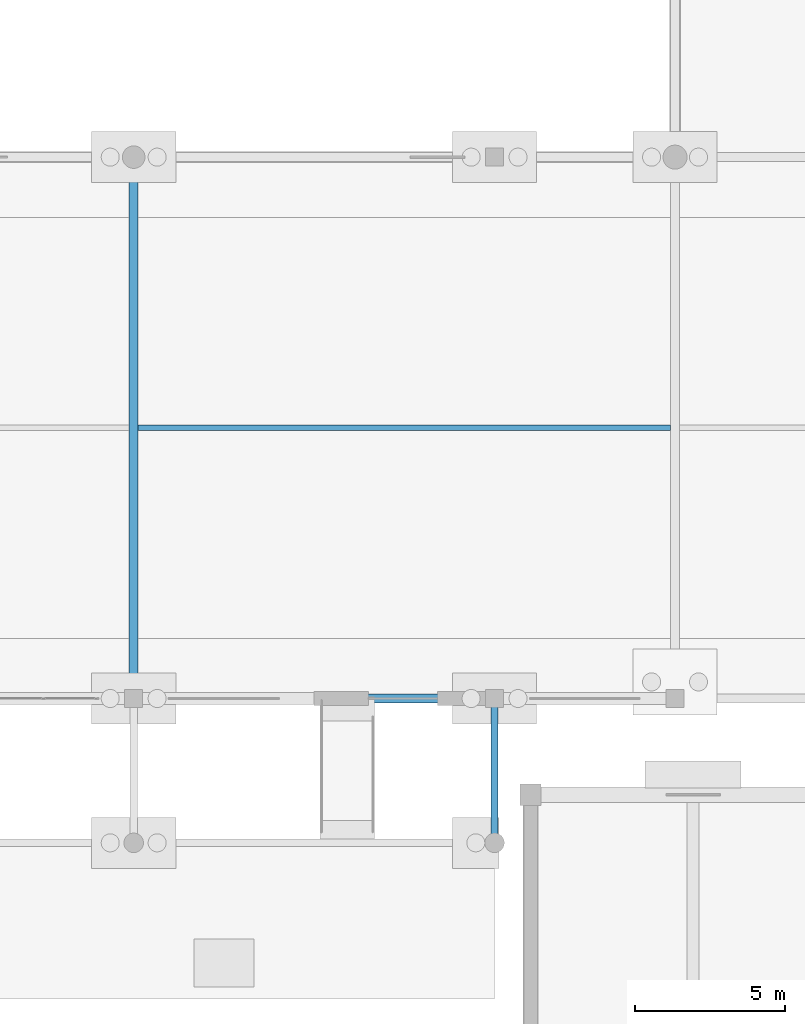
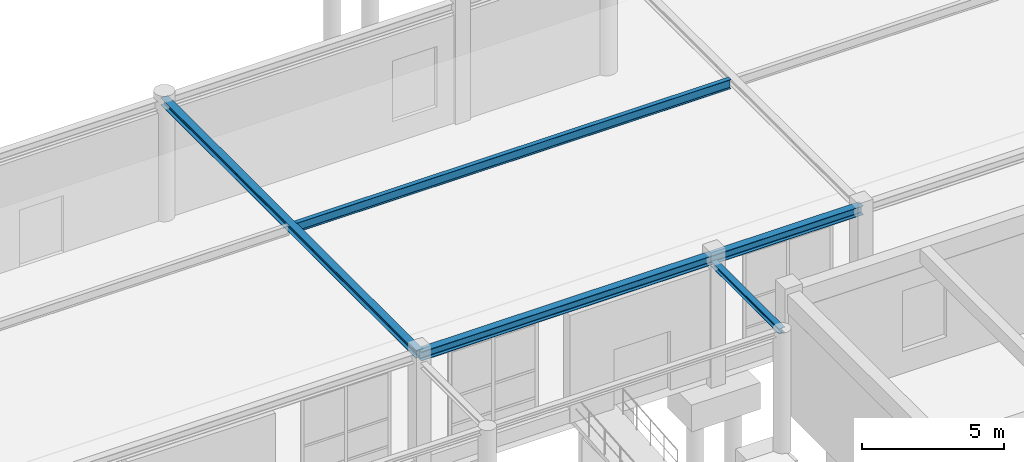
# One storey, part 16 of 53: 4 beams.
"""IFC4 building model written with IfcOpenShell, lengths in metres."""

from ifc_helpers import new_model, si_unit, derived_unit, direction, frame, origin, origin_2d, place, context, subcontext, project, spatial, i_section, extrude, material, material_profile, profile_set, type_object, element, save


model = new_model("IFC4")

# Units and contexts
model_context = context("Model", 3, precision=1e-05, world=origin(), true_north=direction((0.0, 1.0)))
body_context = subcontext(model_context, "Body", "Model", "MODEL_VIEW")
ifc_project = project(units=[si_unit("LENGTHUNIT", "METRE"), si_unit("AREAUNIT", "SQUARE_METRE"), si_unit("VOLUMEUNIT", "CUBIC_METRE"), si_unit("PLANEANGLEUNIT", "RADIAN"), si_unit("MASSUNIT", "GRAM", prefix="KILO"), derived_unit("THERMALTRANSMITTANCEUNIT", [(si_unit("POWERUNIT", "WATT"), 1), (si_unit("LENGTHUNIT", "METRE"), -2), (si_unit("THERMODYNAMICTEMPERATUREUNIT", "KELVIN"), -1)])], contexts=[model_context])

# Site, building, storey
site_placement = place(None, origin())
site = spatial("IfcSite", under=ifc_project, at=site_placement, CompositionType="ELEMENT")
building_placement = place(site_placement, origin())
building = spatial("IfcBuilding", under=site, at=building_placement, Name="Almenara Railside Exhibition Hall", CompositionType="ELEMENT")
storey_placement = place(building_placement, origin())
storey = spatial("IfcBuildingStorey", under=building, at=storey_placement, Name="L00", CompositionType="ELEMENT", Elevation=0.0)

# Beams
ifc_material = material(Name="Structural steel S355JR", Category="steel")
ifc_material_profile_1 = material_profile(ifc_material, i_section(OverallWidth=0.300048828125, OverallDepth=0.31005859375, WebThickness=0.009033203125, FlangeThickness=0.015380859375, FilletRadius=0.027099609375, at=origin_2d()), Name="HEA 320")
ifc_profile_set_1 = profile_set([ifc_material_profile_1], Name="Structural steel S355JR")
beam_type_1 = type_object("IfcBeamType", Name="Steel Concourse Edge Beam HEA 320 S355JR", PredefinedType="BEAM", material=ifc_profile_set_1)
beam_1_placement = place(storey_placement, frame((102.0, 36.0, 4.98095703125), z_axis=(0.0, 1.0, 0.0), x_axis=(-1.0, 0.0, 0.0)))
element("IfcBeam", 1, at=beam_1_placement, inside=storey, type_object=beam_type_1, Name="Beam 0773", PredefinedType="BEAM", context=body_context, shape_type="SweptSolid", body=[
    extrude(i_section(OverallWidth=0.300048828125, OverallDepth=0.31005859375, WebThickness=0.009033203125, FlangeThickness=0.015380859375, FilletRadius=0.027099609375, at=origin_2d()), origin(), (0.0, 0.0, 1.0), 18.0),
])
ifc_material_profile_2 = material_profile(ifc_material, i_section(OverallWidth=0.300048828125, OverallDepth=0.389892578125, WebThickness=0.010986328125, FlangeThickness=0.01904296875, FilletRadius=0.027099609375, at=origin_2d()), Name="HEA 400")
ifc_profile_set_2 = profile_set([ifc_material_profile_2], Name="Structural steel S355JR")
beam_type_2 = type_object("IfcBeamType", Name="Steel Concourse Main Beam HEA 400 S355JR", PredefinedType="BEAM", material=ifc_profile_set_2)
beam_2_placement = place(storey_placement, frame((102.0, 36.0, 4.94091796875), z_axis=(1.0, 0.0, 0.0), x_axis=(0.0, 1.0, 0.0)))
element("IfcBeam", 2, at=beam_2_placement, inside=storey, type_object=beam_type_2, Name="Beam 0741", PredefinedType="BEAM", context=body_context, shape_type="SweptSolid", body=[
    extrude(i_section(OverallWidth=0.300048828125, OverallDepth=0.389892578125, WebThickness=0.010986328125, FlangeThickness=0.01904296875, FilletRadius=0.027099609375, at=origin_2d()), origin(), (0.0, 0.0, 1.0), 18.0),
])
ifc_material_profile_3 = material_profile(ifc_material, i_section(OverallWidth=0.239990234375, OverallDepth=0.22998046875, WebThickness=0.007568359375, FlangeThickness=0.011962890625, FilletRadius=0.02099609375, at=origin_2d()), Name="HEA 240")
ifc_profile_set_3 = profile_set([ifc_material_profile_3], Name="Structural steel S355JR")
beam_type_3 = type_object("IfcBeamType", Name="Steel Portico Beam HEA 240 S355JR", PredefinedType="BEAM", material=ifc_profile_set_3)
beam_3_placement = place(storey_placement, frame((114.0, 31.199951171875, 4.680908203125), z_axis=(0.0, 1.0, 0.0), x_axis=(-1.0, 0.0, 0.0)))
element("IfcBeam", 3, at=beam_3_placement, inside=storey, type_object=beam_type_3, Name="Beam 0955", PredefinedType="BEAM", context=body_context, shape_type="SweptSolid", body=[
    extrude(i_section(OverallWidth=0.239990234375, OverallDepth=0.22998046875, WebThickness=0.007568359375, FlangeThickness=0.011962890625, FilletRadius=0.02099609375, at=origin_2d()), origin(), (0.0, 0.0, 1.0), 4.800048828125),
])
ifc_material_profile_4 = material_profile(ifc_material, i_section(OverallWidth=0.177734375, OverallDepth=0.402587890625, WebThickness=0.0078125, FlangeThickness=0.010986328125, FilletRadius=0.01025390625, at=origin_2d()), Name="UB 406x178x54")
ifc_profile_set_4 = profile_set([ifc_material_profile_4], Name="Structural steel S355JR")
beam_type_4 = type_object("IfcBeamType", Name="Steel Secondary Joist UB 406x178x54 S355JR", PredefinedType="JOIST", material=ifc_profile_set_4)
beam_4_placement = place(storey_placement, frame((102.14990234375, 45.0, 4.934814453125), z_axis=(1.0, 0.0, 0.0), x_axis=(0.0, 1.0, 0.0)))
element("IfcBeam", 4, at=beam_4_placement, inside=storey, type_object=beam_type_4, Name="Beam 0742", PredefinedType="JOIST", context=body_context, shape_type="SweptSolid", body=[
    extrude(i_section(OverallWidth=0.177734375, OverallDepth=0.402587890625, WebThickness=0.0078125, FlangeThickness=0.010986328125, FilletRadius=0.01025390625, at=origin_2d()), origin(), (0.0, 0.0, 1.0), 17.7001953125),
])

save(model, "model.ifc")
